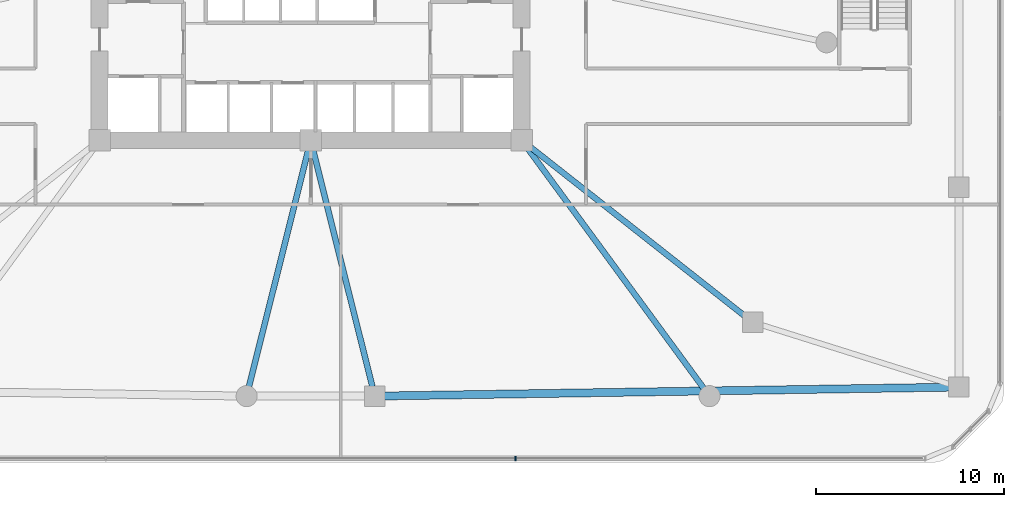
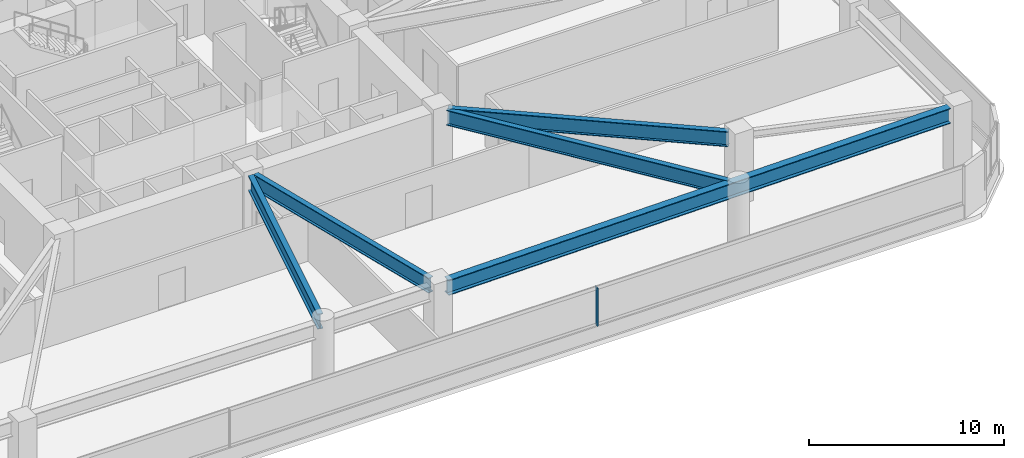
# One storey, part 4 of 21: 5 beams, 1 member, 1 element without a shape of its own.
"""IFC4 building model written with IfcOpenShell, lengths in metres."""

import ifcopenshell
import ifcopenshell.guid

model = None  # the IFC model being written
_history = None  # IfcOwnerHistory: only IFC2X3 demands one
_inside = {}  # id of a spatial element -> (the spatial element, [elements in it])
_under = {}  # id of a project, library or spatial element -> (it, [spatial elements below it])
_declared = {}  # id of a project -> (the project, [libraries it declares])
_typed = {}  # id of a type object -> (the type object, [elements of that type])
_made_of = {}  # id of a material, layer set ... -> (it, [elements and type objects made of it])


def new_model(schema):
    """Start an empty IFC model of exactly this schema.

    Asked for "IFC4X3", IfcOpenShell would pick the latest addendum, in which some entities
    have other attributes; the version numbers below select the first issue.
    IFC2X3 requires an IfcOwnerHistory on every rooted entity: one is made here for all.
    """
    global model, _history
    if schema == "IFC4X3":
        model = ifcopenshell.file(schema_version=(4, 3, 0, 0))
    else:
        model = ifcopenshell.file(schema=schema)
    _inside.clear()
    _under.clear()
    _declared.clear()
    _typed.clear()
    _made_of.clear()
    _history = None
    if model.schema == "IFC2X3":
        org = make("IfcOrganization", Name="unknown")
        user = make(
            "IfcPersonAndOrganization",
            ThePerson=make("IfcPerson", FamilyName="unknown"),
            TheOrganization=org,
        )
        app = make(
            "IfcApplication",
            ApplicationDeveloper=org,
            Version="unknown",
            ApplicationFullName="unknown",
            ApplicationIdentifier="unknown",
        )
        _history = make(
            "IfcOwnerHistory",
            OwningUser=user,
            OwningApplication=app,
            ChangeAction="ADDED",
            CreationDate=0,
        )
    return model


def make(cls, **values):
    """One entity of the class cls with the attributes given. An attribute that is None is left unset."""
    return model.create_entity(
        cls, **{name: value for name, value in values.items() if value is not None}
    )


def rooted(cls, **values):
    """An entity with a GlobalId (a new one), such as an element, a storey or a relation."""
    return make(cls, GlobalId=ifcopenshell.guid.new(), OwnerHistory=_history, **values)


def si_unit(unit_type, name, prefix=None):
    """IfcSIUnit, for example si_unit("LENGTHUNIT", "METRE", prefix="MILLI")."""
    return make("IfcSIUnit", UnitType=unit_type, Prefix=prefix, Name=name)


def derived_unit(unit_type, elements):
    """IfcDerivedUnit: a product of units, each with its exponent."""
    return make(
        "IfcDerivedUnit",
        Elements=[
            make("IfcDerivedUnitElement", Unit=unit, Exponent=power)
            for unit, power in elements
        ],
        UnitType=unit_type,
    )


def assignment(units):
    """IfcUnitAssignment: the units of a project."""
    return None if units is None else make("IfcUnitAssignment", Units=units)


def point(xyz):
    """IfcCartesianPoint."""
    return None if xyz is None else make("IfcCartesianPoint", Coordinates=xyz)


def direction(xyz):
    """IfcDirection."""
    return None if xyz is None else make("IfcDirection", DirectionRatios=xyz)


def frame(location, z_axis=None, x_axis=None):
    """IfcAxis2Placement3D, a coordinate frame: its origin and axes. An axis left out is left unset."""
    return make(
        "IfcAxis2Placement3D",
        Location=point(location),
        Axis=direction(z_axis),
        RefDirection=direction(x_axis),
    )


def frame_2d(location, x_axis=None):
    """IfcAxis2Placement2D, a coordinate frame in the plane: its origin and x axis."""
    return make(
        "IfcAxis2Placement2D", Location=point(location), RefDirection=direction(x_axis)
    )


def origin():
    """The frame at (0, 0, 0) with its axes left unset."""
    return frame((0.0, 0.0, 0.0))


def origin_2d():
    """The frame at (0, 0) in the plane with its x axis left unset."""
    return frame_2d((0.0, 0.0))


def place(relative_to, where):
    """IfcLocalPlacement: puts the frame where relative to a parent placement (None: the world)."""
    return make(
        "IfcLocalPlacement", PlacementRelTo=relative_to, RelativePlacement=where
    )


def context(
    kind, dimensions, precision=None, world=None, true_north=None, identifier=None
):
    """IfcGeometricRepresentationContext, for example the 3D "Model" context."""
    return make(
        "IfcGeometricRepresentationContext",
        ContextIdentifier=identifier,
        ContextType=kind,
        CoordinateSpaceDimension=dimensions,
        Precision=precision,
        WorldCoordinateSystem=world,
        TrueNorth=true_north,
    )


def subcontext(parent, identifier, kind, view, scale=None):
    """IfcGeometricRepresentationSubContext, for example "Body" below "Model"."""
    return make(
        "IfcGeometricRepresentationSubContext",
        ContextIdentifier=identifier,
        ContextType=kind,
        ParentContext=parent,
        TargetScale=scale,
        TargetView=view,
    )


def project(units=None, contexts=None):
    """IfcProject with its units and contexts."""
    return rooted(
        "IfcProject",
        Name="project",
        RepresentationContexts=contexts,
        UnitsInContext=assignment(units),
    )


def spatial(cls, under=None, at=None, **own):
    """A site, building, storey or space (cls), placed at a placement, below another one or the project."""
    s = rooted(cls, ObjectPlacement=at, **own)
    if under is not None:
        _under.setdefault(under.id(), (under, []))[1].append(s)
    return s


def profile(cls, at=None, kind="AREA", **sizes):
    """A parametric profile (cls). Its sizes go by their IFC names, for example OverallWidth=200.0."""
    return make(cls, ProfileType=kind, Position=at, **sizes)


def rectangle(**sizes):
    """IfcRectangleProfileDef."""
    return profile("IfcRectangleProfileDef", **sizes)


def i_section(**sizes):
    """IfcIShapeProfileDef."""
    return profile("IfcIShapeProfileDef", **sizes)


def extrude(swept, where, along, depth):
    """IfcExtrudedAreaSolid: the profile swept, set in the frame where, extruded along a direction by depth."""
    return make(
        "IfcExtrudedAreaSolid",
        SweptArea=swept,
        Position=where,
        ExtrudedDirection=direction(along),
        Depth=depth,
    )


def shape(context_of_items, identifier, shape_type, items):
    """IfcShapeRepresentation: the items that make up one representation, for example the "Body"."""
    return make(
        "IfcShapeRepresentation",
        ContextOfItems=context_of_items,
        RepresentationIdentifier=identifier,
        RepresentationType=shape_type,
        Items=items,
    )


def material(Name=None, Category=None):
    """IfcMaterial."""
    return make("IfcMaterial", Name=Name, Category=Category)


def material_profile(
    of_material, cross_section, Name=None, Category=None, Priority=None
):
    """IfcMaterialProfile: a cross section and its material."""
    return make(
        "IfcMaterialProfile",
        Name=Name,
        Material=of_material,
        Profile=cross_section,
        Priority=Priority,
        Category=Category,
    )


def profile_set(profiles, Name=None, composite=None):
    """IfcMaterialProfileSet."""
    return make(
        "IfcMaterialProfileSet",
        Name=Name,
        MaterialProfiles=profiles,
        CompositeProfile=composite,
    )


def made_of(thing, what):
    """Note that an element or type object is made of a material, layer set ...; save() writes the relation."""
    if what is not None:
        _made_of.setdefault(what.id(), (what, []))[1].append(thing)
    return thing


def type_object(cls, material=None, **own):
    """A type object (cls), such as IfcWallType, which elements share."""
    return made_of(rooted(cls, **own), material)


def element(
    cls,
    number,
    at=None,
    inside=None,
    cuts=None,
    type_object=None,
    material=None,
    context=None,
    identifier="Body",
    shape_type=None,
    held_by="IfcProductDefinitionShape",
    body=None,
    shapes=None,
    **own,
):
    """One element of the class cls, such as IfcWall. Its Tag is "e" and its number.

    at: its placement. inside: the storey or other place that contains it. cuts: it is an
    opening in that element (IfcRelVoidsElement). A single representation is given by context,
    identifier, shape_type and body (its items); several are given by shapes. held_by: the class
    of the entity that holds the representations. save() writes the other relations.
    """
    e = rooted(cls, Tag="e%d" % number, ObjectPlacement=at, **own)
    if body is not None:
        shapes = [shape(context, identifier, shape_type, body)]
    if shapes is not None:
        e.Representation = make(held_by, Representations=shapes)
    if inside is not None:
        _inside.setdefault(inside.id(), (inside, []))[1].append(e)
    if cuts is not None:
        rooted(
            "IfcRelVoidsElement", RelatingBuildingElement=cuts, RelatedOpeningElement=e
        )
    if type_object is not None:
        _typed.setdefault(type_object.id(), (type_object, []))[1].append(e)
    return made_of(e, material)


def aggregate(whole, parts):
    """IfcRelAggregates: a whole, such as a stair, and the parts it consists of."""
    return rooted("IfcRelAggregates", RelatingObject=whole, RelatedObjects=parts)


def save(model, path):
    """Write the relations noted so far, then the file.

    IfcRelAggregates (storeys below a building ...), IfcRelContainedInSpatialStructure (elements
    in a storey), IfcRelDefinesByType, IfcRelAssociatesMaterial and IfcRelDeclares: one each for
    every whole, place, type object, material and project.
    """
    for whole, parts in _under.values():
        aggregate(whole, parts)
    for where, things in _inside.values():
        rooted(
            "IfcRelContainedInSpatialStructure",
            RelatedElements=things,
            RelatingStructure=where,
        )
    for kind, things in _typed.values():
        rooted("IfcRelDefinesByType", RelatedObjects=things, RelatingType=kind)
    for what, things in _made_of.values():
        rooted("IfcRelAssociatesMaterial", RelatedObjects=things, RelatingMaterial=what)
    for by, libraries in _declared.values():
        rooted("IfcRelDeclares", RelatingContext=by, RelatedDefinitions=libraries)
    model.write(path)


model = new_model("IFC4")

# Units and contexts
model_context = context("Model", 3, precision=1e-05, world=origin(), true_north=direction((0.0, 1.0)))
body_context = subcontext(model_context, "Body", "Model", "MODEL_VIEW")
ifc_project = project(units=[si_unit("LENGTHUNIT", "METRE"), si_unit("AREAUNIT", "SQUARE_METRE"), si_unit("VOLUMEUNIT", "CUBIC_METRE"), si_unit("PLANEANGLEUNIT", "RADIAN"), si_unit("MASSUNIT", "GRAM", prefix="KILO"), derived_unit("THERMALTRANSMITTANCEUNIT", [(si_unit("POWERUNIT", "WATT"), 1), (si_unit("LENGTHUNIT", "METRE"), -2), (si_unit("THERMODYNAMICTEMPERATUREUNIT", "KELVIN"), -1)])], contexts=[model_context])

# Site, building, storey
site_placement = place(None, origin())
site = spatial("IfcSite", under=ifc_project, at=site_placement, CompositionType="ELEMENT")
building_placement = place(site_placement, origin())
building = spatial("IfcBuilding", under=site, at=building_placement, Name="Koralith Skygarden Medical Center", CompositionType="ELEMENT")
storey_placement = place(building_placement, frame((0.0, 0.0, 14.39990234375)))
storey = spatial("IfcBuildingStorey", under=building, at=storey_placement, Name="L03", CompositionType="ELEMENT", Elevation=14.39990234375)

# Curtain wall, member
ifc_material_1 = material(Name="Clear Laminated Glass", Category="glass")
curtain_wall_type = type_object("IfcCurtainWallType", Name="CW-1 Transit & Podium Acoustic Curtain Wall", PredefinedType="NOTDEFINED", material=ifc_material_1)
curtain_wall_placement = place(storey_placement, origin())
curtain_wall = element("IfcCurtainWall", 1, at=curtain_wall_placement, inside=storey, type_object=curtain_wall_type, Name="Curtain Wall CW-L03-S", PredefinedType="NOTDEFINED")
ifc_material_2 = material(Name="Aluminium 6063-T6", Category="aluminium")
ifc_material_profile_1 = material_profile(ifc_material_2, rectangle(XDim=0.068115234375, YDim=0.239990234375, at=origin_2d()), Name="MUL68X240")
ifc_profile_set_1 = profile_set([ifc_material_profile_1], Name="Aluminium 6063-T6")
member_type = type_object("IfcMemberType", Name="CW-1 Extruded Mullion 68x240", PredefinedType="MULLION", material=ifc_profile_set_1)
member_placement = place(storey_placement, frame((47.8740234375, 0.419921875, 0.85009765625), z_axis=(0.0, 0.0, 1.0), x_axis=(1.0, 0.0, 0.0)))
member = element("IfcMember", 2, at=member_placement, type_object=member_type, Name="CW-L03-S Mullion 3", PredefinedType="MULLION", context=body_context, shape_type="SweptSolid", body=[
    extrude(rectangle(XDim=0.068115234375, YDim=0.239990234375, at=origin_2d()), origin(), (0.0, 0.0, 1.0), 2.389892578125),
])
aggregate(curtain_wall, [member])

# Beams
ifc_material_3 = material(Name="Steel ASTM A992 Grade 50", Category="steel")
ifc_material_profile_2 = material_profile(ifc_material_3, i_section(OverallWidth=0.423095703125, OverallDepth=0.947998046875, WebThickness=0.02392578125, FlangeThickness=0.042724609375, at=origin_2d()), Name="W36X302")
ifc_profile_set_2 = profile_set([ifc_material_profile_2], Name="Steel ASTM A992 Grade 50")
beam_type_1 = type_object("IfcBeamType", Name="Podium Concourse Girder W36X302", PredefinedType="BEAM", material=ifc_profile_set_2)
beam_1_placement = place(storey_placement, frame((40.919921875, 3.72802734375, 3.72607421875), z_axis=(0.999880161393, 0.015481048165, 0.0), x_axis=(-0.015481048165, 0.999880161393, 0.0)))
element("IfcBeam", 3, at=beam_1_placement, inside=storey, type_object=beam_type_1, Name="L03 Podium Perimeter Beam PB-04", PredefinedType="BEAM", context=body_context, shape_type="SweptSolid", body=[
    extrude(i_section(OverallWidth=0.423095703125, OverallDepth=0.947998046875, WebThickness=0.02392578125, FlangeThickness=0.042724609375, at=origin_2d()), origin(), (0.0, 0.0, 1.0), 29.963623046875),
])
ifc_material_profile_3 = material_profile(ifc_material_3, i_section(OverallWidth=0.30810546875, OverallDepth=0.943115234375, WebThickness=0.022216796875, FlangeThickness=0.039794921875, at=origin_2d()), Name="W36X232")
ifc_profile_set_3 = profile_set([ifc_material_profile_3], Name="Steel ASTM A992 Grade 50")
beam_type_2 = type_object("IfcBeamType", Name="Surgical Platform Girder W36X232", PredefinedType="BEAM", material=ifc_profile_set_3)
for number, where, z_axis, x_axis, name in (
    (4, (36.864013671875, 16.757080078125, 3.72900390625), (-0.242877971824, -0.970056849263, 0.0), (0.970056849263, -0.242877971824, 0.0), "L03 Podium Radial Girder PRG-04"),
    (5, (37.135986328125, 16.757080078125, 3.72900390625), (0.242877971824, -0.970056849263, 0.0), (0.970056849263, 0.242877971824, 0.0), "L03 Podium Radial Girder PRG-05"),
):
    element("IfcBeam", number, at=place(storey_placement, frame(where, z_axis=z_axis, x_axis=x_axis)), inside=storey, type_object=beam_type_2, Name=name, PredefinedType="BEAM", context=body_context, shape_type="SweptSolid", body=[
        extrude(i_section(OverallWidth=0.30810546875, OverallDepth=0.943115234375, WebThickness=0.022216796875, FlangeThickness=0.039794921875, at=origin_2d()), origin(), (0.0, 0.0, 1.0), 12.919921875),
    ])
beam_2_placement = place(storey_placement, frame((48.531005859375, 16.84912109375, 3.72900390625), z_axis=(0.59170530555, -0.806154347122, 0.0), x_axis=(0.806154347122, 0.59170530555, 0.0)))
element("IfcBeam", 6, at=beam_2_placement, inside=storey, type_object=beam_type_2, Name="L03 Podium Radial Girder PRG-06", PredefinedType="BEAM", context=body_context, shape_type="SweptSolid", body=[
    extrude(i_section(OverallWidth=0.30810546875, OverallDepth=0.943115234375, WebThickness=0.022216796875, FlangeThickness=0.039794921875, at=origin_2d()), origin(), (0.0, 0.0, 1.0), 15.766357421875),
])
beam_3_placement = place(storey_placement, frame((48.639892578125, 16.952880859375, 3.72900390625), z_axis=(0.785504791859, -0.618855574401, 0.0), x_axis=(0.618855574401, 0.785504791859, 0.0)))
element("IfcBeam", 7, at=beam_3_placement, inside=storey, type_object=beam_type_2, Name="L03 Podium Radial Girder PRG-07", PredefinedType="BEAM", context=body_context, shape_type="SweptSolid", body=[
    extrude(i_section(OverallWidth=0.30810546875, OverallDepth=0.943115234375, WebThickness=0.022216796875, FlangeThickness=0.039794921875, at=origin_2d()), origin(), (0.0, 0.0, 1.0), 14.5283203125),
])

save(model, "model.ifc")
